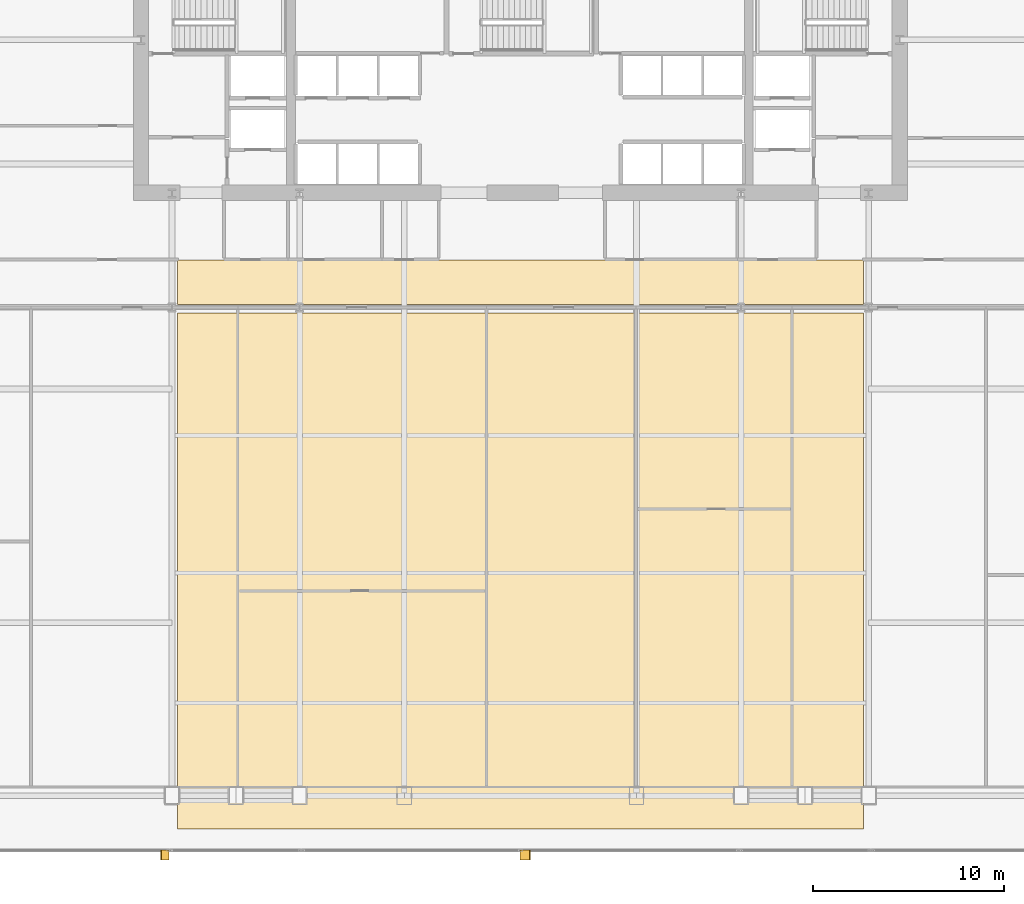
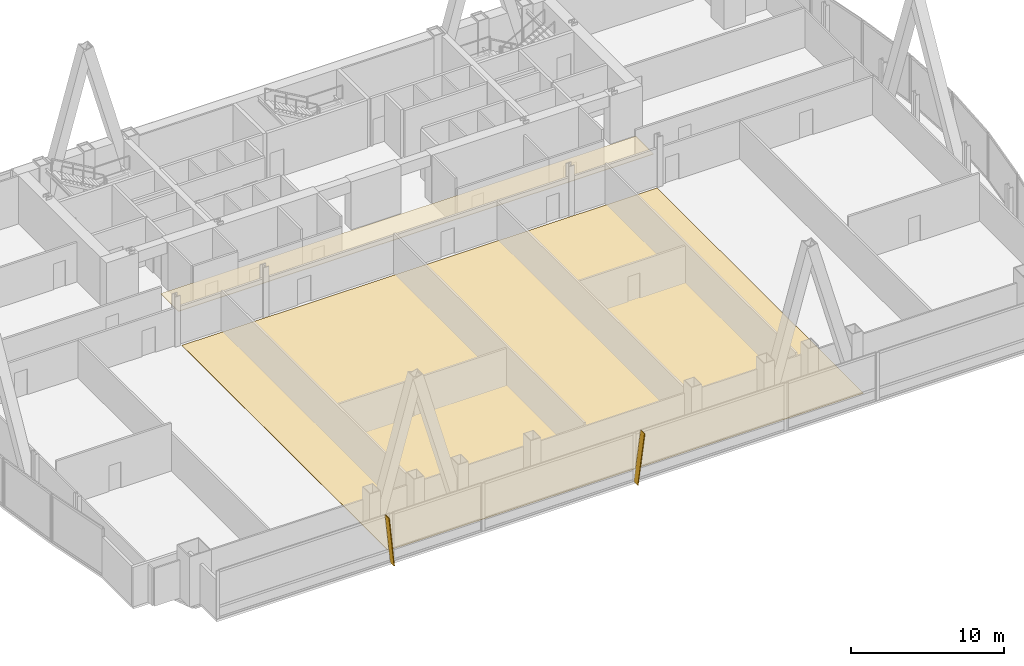
# One storey, part 35 of 37: 2 coverings, 2 shading devices.
"""IFC4 building model written with IfcOpenShell, lengths in metres."""

from ifc_helpers import new_model, si_unit, direction, frame, origin, place, context, subcontext, project, spatial, polyline, outline, extrude, material, layer, layer_set, type_object, element, save


model = new_model("IFC4")

# Units and contexts
model_context = context("Model", 3, precision=1e-05, world=origin(), true_north=direction((0.0, 1.0)))
body_context = subcontext(model_context, "Body", "Model", "MODEL_VIEW")
ifc_project = project(units=[si_unit("LENGTHUNIT", "METRE"), si_unit("AREAUNIT", "SQUARE_METRE"), si_unit("VOLUMEUNIT", "CUBIC_METRE"), si_unit("PLANEANGLEUNIT", "RADIAN"), si_unit("MASSUNIT", "GRAM", prefix="KILO")], contexts=[model_context])

# Site, building, storey
site_placement = place(None, origin())
site = spatial("IfcSite", under=ifc_project, at=site_placement, CompositionType="ELEMENT")
building_placement = place(site_placement, origin())
building = spatial("IfcBuilding", under=site, at=building_placement, Name="Khoronbel Lancet Exchange", CompositionType="ELEMENT")
storey_placement = place(building_placement, frame((0.0, 0.0, 61.800048828125)))
storey = spatial("IfcBuildingStorey", under=building, at=storey_placement, Name="L14", CompositionType="ELEMENT", Elevation=61.800048828125)

# Coverings
ifc_material_1 = material(Name="Micro-Perforated Bronze Acoustic Metal Ceiling Tile", Category="aluminium")
ifc_layer_1 = layer(ifc_material_1, 0.0400390625, Name="Micro-Perforated Bronze Acoustic Metal Ceiling Tile")
ifc_layer_set_1 = layer_set([ifc_layer_1], Name="Micro-Perforated Bronze Acoustic Metal Ceiling Tile")
covering_type_1 = type_object("IfcCoveringType", Name="COV-CEIL1", PredefinedType="CEILING", material=ifc_layer_set_1)
covering_1_placement = place(storey_placement, frame((0.0, 0.0, 2.43994140625)))
element("IfcCovering", 1, at=covering_1_placement, inside=storey, type_object=covering_type_1, Name="Level L14 corridor acoustic metal ceiling", PredefinedType="CEILING", context=body_context, shape_type="SweptSolid", body=[
    extrude(outline(polyline([(18.5, 35.85009765625), (54.39990234375, 35.85009765625), (54.39990234375, 38.179931640625), (18.5, 38.179931640625), (18.5, 35.85009765625)])), origin(), (0.0, 0.0, 1.0), 0.0400390625),
])
ifc_material_2 = material(Name="Honed Egyptian Galala Marble & Raised Access Floor Finish", Category="masonry")
ifc_layer_2 = layer(ifc_material_2, 0.030029296875, Name="Honed Egyptian Galala Marble & Raised Access Floor Finish")
ifc_layer_set_2 = layer_set([ifc_layer_2], Name="Honed Egyptian Galala Marble & Raised Access Floor Finish")
covering_type_2 = type_object("IfcCoveringType", Name="COV-FLR1", PredefinedType="FLOORING", material=ifc_layer_set_2)
covering_2_placement = place(storey_placement, origin())
element("IfcCovering", 2, at=covering_2_placement, inside=storey, type_object=covering_type_2, Name="Level L14 anti-static raised access floor finish", PredefinedType="FLOORING", context=body_context, shape_type="SweptSolid", body=[
    extrude(outline(polyline([(18.5, 8.39990234375), (54.39990234375, 8.39990234375), (54.39990234375, 35.39990234375), (18.5, 35.39990234375), (18.5, 8.39990234375)])), origin(), (0.0, 0.0, 1.0), 0.030029296875),
])

# Shading devices
ifc_material_3 = material(Name="Bronze-Anodised Aluminium 6063-T6", Category="aluminium")
ifc_layer_3 = layer(ifc_material_3, 0.054931640625, Name="Bronze-Anodised Aluminium 6063-T6")
ifc_layer_set_3 = layer_set([ifc_layer_3], Name="Bronze-Anodised Aluminium 6063-T6")
shading_device_type = type_object("IfcShadingDeviceType", Name="SHD-FIN1", PredefinedType="USERDEFINED", material=ifc_layer_set_3)
shading_device_1_placement = place(storey_placement, frame((18.072509765625, 7.31005859375, -0.080078125), z_axis=(0.995011517869, 0.0, 0.099760108806), x_axis=(0.0, -1.0, 0.0)))
element("IfcShadingDevice", 3, at=shading_device_1_placement, inside=storey, type_object=shading_device_type, Name="Slanted bronze solar fin CW-L14-SWV-1", ObjectType="FIN", PredefinedType="USERDEFINED", context=body_context, shape_type="SweptSolid", body=[
    extrude(outline(polyline([(0.0, 0.0), (0.52001953125, 0.0), (0.52001953125, -3.959716796875), (0.0, -3.959716796875), (0.0, 0.0)])), origin(), (0.0, 0.0, -1.0), 0.054931640625),
])
shading_device_2_placement = place(storey_placement, frame((36.422607421875, 7.31005859375, -0.080078125), z_axis=(-0.991889216598, 0.0, 0.127105397195), x_axis=(0.0, -1.0, 0.0)))
element("IfcShadingDevice", 4, at=shading_device_2_placement, inside=storey, type_object=shading_device_type, Name="Slanted bronze solar fin CW-L14-SCV-1", ObjectType="FIN", PredefinedType="USERDEFINED", context=body_context, shape_type="SweptSolid", body=[
    extrude(outline(polyline([(0.0, 0.0), (0.52001953125, 0.0), (0.52001953125, 3.97216796875), (0.0, 3.97216796875), (0.0, 0.0)])), origin(), (0.0, 0.0, -1.0), 0.054931640625),
])

save(model, "model.ifc")
